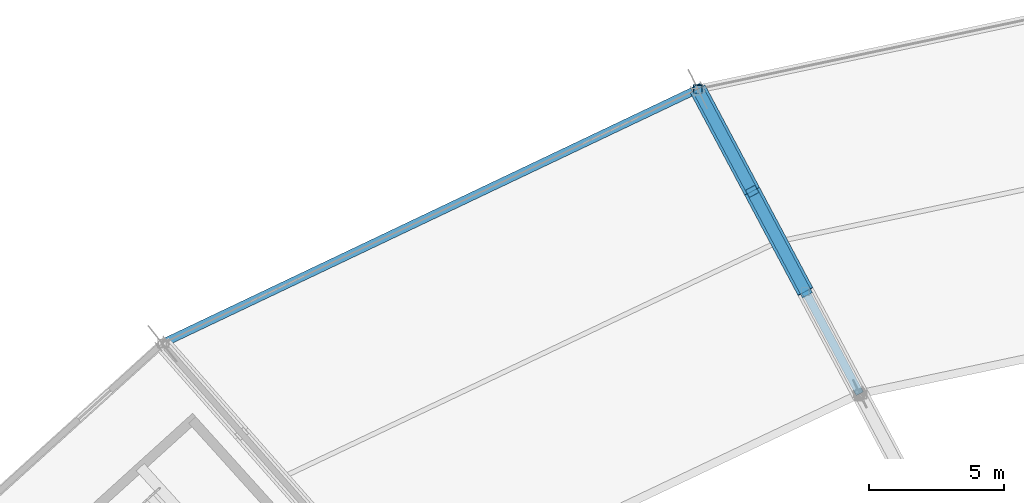
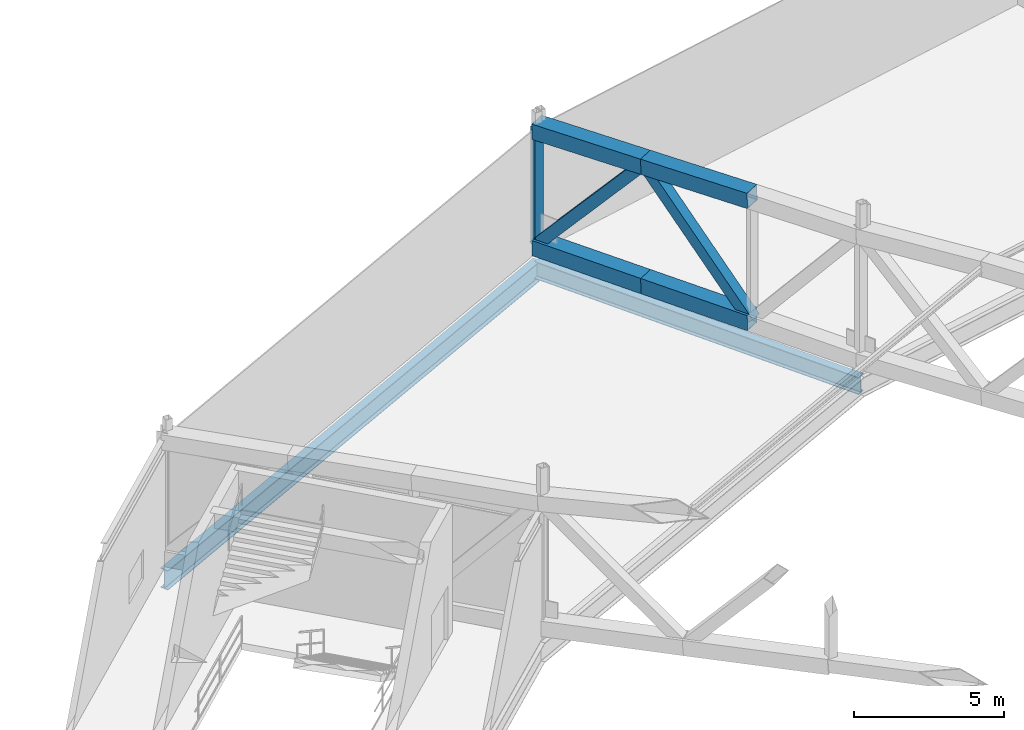
# One storey, part 72 of 162: 7 members, 2 beams.
"""IFC4 building model written with IfcOpenShell, lengths in metres."""

from ifc_helpers import new_model, si_unit, direction, frame, origin, origin_2d, place, context, subcontext, project, spatial, hollow_rectangle, i_section, extrude, material, material_profile, profile_set, type_object, element, save


model = new_model("IFC4")

# Units and contexts
model_context = context("Model", 3, precision=1e-05, world=origin(), true_north=direction((0.0, 1.0)))
body_context = subcontext(model_context, "Body", "Model", "MODEL_VIEW")
ifc_project = project(units=[si_unit("LENGTHUNIT", "METRE"), si_unit("AREAUNIT", "SQUARE_METRE"), si_unit("VOLUMEUNIT", "CUBIC_METRE"), si_unit("PLANEANGLEUNIT", "RADIAN"), si_unit("MASSUNIT", "GRAM", prefix="KILO")], contexts=[model_context])

# Site, building, storey
site_placement = place(None, origin())
site = spatial("IfcSite", under=ifc_project, at=site_placement, CompositionType="ELEMENT")
building_placement = place(site_placement, origin())
building = spatial("IfcBuilding", under=site, at=building_placement, Name="Kazemori Nagisa Stadium", CompositionType="ELEMENT")
storey_placement = place(building_placement, frame((0.0, 0.0, 36.719970703125)))
storey = spatial("IfcBuildingStorey", under=building, at=storey_placement, Name="RF", CompositionType="ELEMENT", Elevation=36.719970703125)

# Beams
ifc_material_1 = material(Name="Steel SN490B", Category="steel")
ifc_material_profile_1 = material_profile(ifc_material_1, i_section(OverallWidth=0.300048828125, OverallDepth=0.699951171875, WebThickness=0.012939453125, FlangeThickness=0.02392578125, FilletRadius=0.01806640625, at=origin_2d()), Name="H-700x300x13x24")
ifc_profile_set_1 = profile_set([ifc_material_profile_1], Name="Steel SN490B")
beam_type_1 = type_object("IfcBeamType", Name="Beam_BG-H700", PredefinedType="BEAM", material=ifc_profile_set_1)
beam_1_placement = place(storey_placement, frame((86.18798828125, 171.19921875, -0.6298828125), z_axis=(-0.469648511848, 0.882853484628, 0.0), x_axis=(-0.882853484628, -0.469648511848, 0.0)))
element("IfcBeam", 1, at=beam_1_placement, inside=storey, type_object=beam_type_1, Name="Radial girder BG-H700 RF R2-R3-10", PredefinedType="BEAM", context=body_context, shape_type="SweptSolid", body=[
    extrude(i_section(OverallWidth=0.300048828125, OverallDepth=0.699951171875, WebThickness=0.012939453125, FlangeThickness=0.02392578125, FilletRadius=0.01806640625, at=origin_2d()), origin(), (0.0, 0.0, 1.0), 12.760009765625),
])
ifc_material_profile_2 = material_profile(ifc_material_1, i_section(OverallWidth=0.300048828125, OverallDepth=0.800048828125, WebThickness=0.013916015625, FlangeThickness=0.02587890625, FilletRadius=0.01806640625, at=origin_2d()), Name="H-800x300x14x26")
ifc_profile_set_2 = profile_set([ifc_material_profile_2], Name="Steel SN490B")
beam_type_2 = type_object("IfcBeamType", Name="Beam_BG-H800", PredefinedType="BEAM", material=ifc_profile_set_2)
beam_2_placement = place(storey_placement, frame((80.1953125, 182.46435546875, -0.679931640625), z_axis=(-0.903215644095, -0.429187022475, 0.0), x_axis=(0.429187022475, -0.903215644095, 0.0)))
element("IfcBeam", 2, at=beam_2_placement, inside=storey, type_object=beam_type_2, Name="Roof compression ring beam BG-H800 R3-10", PredefinedType="BEAM", context=body_context, shape_type="SweptSolid", body=[
    extrude(i_section(OverallWidth=0.300048828125, OverallDepth=0.800048828125, WebThickness=0.013916015625, FlangeThickness=0.02587890625, FilletRadius=0.01806640625, at=origin_2d()), origin(), (0.0, 0.0, 1.0), 21.9140625),
])

# Members
ifc_material_2 = material(Name="Steel STKR490", Category="steel")
ifc_material_profile_3 = material_profile(ifc_material_2, hollow_rectangle(XDim=0.419921875, YDim=0.419921875, WallThickness=0.01611328125, at=origin_2d()), Name="SHS-420x420x16")
ifc_profile_set_3 = profile_set([ifc_material_profile_3], Name="Steel STKR490")
member_type_1 = type_object("IfcMemberType", Name="Member_TB-SHS420", PredefinedType="BRACE", material=ifc_profile_set_3)
member_1_placement = place(storey_placement, frame((80.1953125, 182.46435546875, 0.360107421875), z_axis=(0.309095104142, -0.581091293478, 0.752856643219), x_axis=(0.882869875406, 0.46961769888, 0.0)))
element("IfcMember", 3, at=member_1_placement, inside=storey, type_object=member_type_1, Name="Roof space truss diagonal RT-10-1", PredefinedType="BRACE", context=body_context, shape_type="SweptSolid", body=[
    extrude(hollow_rectangle(XDim=0.419921875, YDim=0.419921875, WallThickness=0.01611328125, at=origin_2d()), origin(), (0.0, 0.0, 1.0), 6.50830078125),
])
member_2_placement = place(storey_placement, frame((82.20703125, 178.682373046875, 5.260009765625), z_axis=(0.308218417278, -0.579404764334, -0.754514099482), x_axis=(0.882856977969, 0.469641944945, 0.0)))
element("IfcMember", 4, at=member_2_placement, inside=storey, type_object=member_type_1, Name="Roof space truss diagonal RT-10-2", PredefinedType="BRACE", context=body_context, shape_type="SweptSolid", body=[
    extrude(hollow_rectangle(XDim=0.419921875, YDim=0.419921875, WallThickness=0.01611328125, at=origin_2d()), origin(), (0.0, 0.0, 1.0), 6.388427734375),
])
ifc_material_profile_4 = material_profile(ifc_material_2, hollow_rectangle(XDim=0.6201171875, YDim=0.6201171875, WallThickness=0.02197265625, at=origin_2d()), Name="SHS-620x620x22")
ifc_profile_set_4 = profile_set([ifc_material_profile_4], Name="Steel STKR490")
member_type_2 = type_object("IfcMemberType", Name="Member_TC-SHS620", PredefinedType="CHORD", material=ifc_profile_set_4)
member_3_placement = place(storey_placement, frame((80.1953125, 182.46435546875, 5.10009765625), z_axis=(0.469290826717, -0.882255363674, 0.037304064502), x_axis=(0.882869875406, 0.46961769888, 0.0)))
element("IfcMember", 5, at=member_3_placement, inside=storey, type_object=member_type_2, Name="Roof space truss top chord RT-10-1", PredefinedType="CHORD", context=body_context, shape_type="SweptSolid", body=[
    extrude(hollow_rectangle(XDim=0.6201171875, YDim=0.6201171875, WallThickness=0.02197265625, at=origin_2d()), origin(), (0.0, 0.0, 1.0), 4.28662109375),
])
member_4_placement = place(storey_placement, frame((80.1953125, 182.46435546875, 0.360107421875), z_axis=(0.469597186871, -0.882831313327, 0.009346351778), x_axis=(0.882869875406, 0.46961769888, 0.0)))
element("IfcMember", 6, at=member_4_placement, inside=storey, type_object=member_type_2, Name="Roof space truss bottom chord RT-10-1", PredefinedType="CHORD", context=body_context, shape_type="SweptSolid", body=[
    extrude(hollow_rectangle(XDim=0.6201171875, YDim=0.6201171875, WallThickness=0.02197265625, at=origin_2d()), origin(), (0.0, 0.0, 1.0), 4.283935546875),
])
member_5_placement = place(storey_placement, frame((82.20703125, 178.682373046875, 5.260009765625), z_axis=(0.469300696291, -0.882215481274, 0.038114315694), x_axis=(0.882856977969, 0.469641944945, 0.0)))
element("IfcMember", 7, at=member_5_placement, inside=storey, type_object=member_type_2, Name="Roof space truss top chord RT-10-2", PredefinedType="CHORD", context=body_context, shape_type="SweptSolid", body=[
    extrude(hollow_rectangle(XDim=0.6201171875, YDim=0.6201171875, WallThickness=0.02197265625, at=origin_2d()), origin(), (0.0, 0.0, 1.0), 4.195556640625),
])
member_6_placement = place(storey_placement, frame((82.20703125, 178.682373046875, 0.400146484375), z_axis=(0.469620790202, -0.882817210199, 0.009491405927), x_axis=(0.882856977969, 0.469641944945, 0.0)))
element("IfcMember", 8, at=member_6_placement, inside=storey, type_object=member_type_2, Name="Roof space truss bottom chord RT-10-2", PredefinedType="CHORD", context=body_context, shape_type="SweptSolid", body=[
    extrude(hollow_rectangle(XDim=0.6201171875, YDim=0.6201171875, WallThickness=0.02197265625, at=origin_2d()), origin(), (0.0, 0.0, 1.0), 4.192626953125),
])
ifc_material_profile_5 = material_profile(ifc_material_2, hollow_rectangle(XDim=0.320068359375, YDim=0.320068359375, WallThickness=0.011962890625, at=origin_2d()), Name="SHS-320x320x12")
ifc_profile_set_5 = profile_set([ifc_material_profile_5], Name="Steel STKR490")
member_type_3 = type_object("IfcMemberType", Name="Member_TS-SHS320", PredefinedType="STRUT", material=ifc_profile_set_5)
member_7_placement = place(storey_placement, frame((80.1953125, 182.46435546875, 0.360107421875), z_axis=(0.0, 0.0, 1.0), x_axis=(1.0, 0.0, 0.0)))
element("IfcMember", 9, at=member_7_placement, inside=storey, type_object=member_type_3, Name="Roof space truss strut RT-10-1", PredefinedType="STRUT", context=body_context, shape_type="SweptSolid", body=[
    extrude(hollow_rectangle(XDim=0.320068359375, YDim=0.320068359375, WallThickness=0.011962890625, at=origin_2d()), origin(), (0.0, 0.0, 1.0), 4.739990234375),
])

save(model, "model.ifc")
